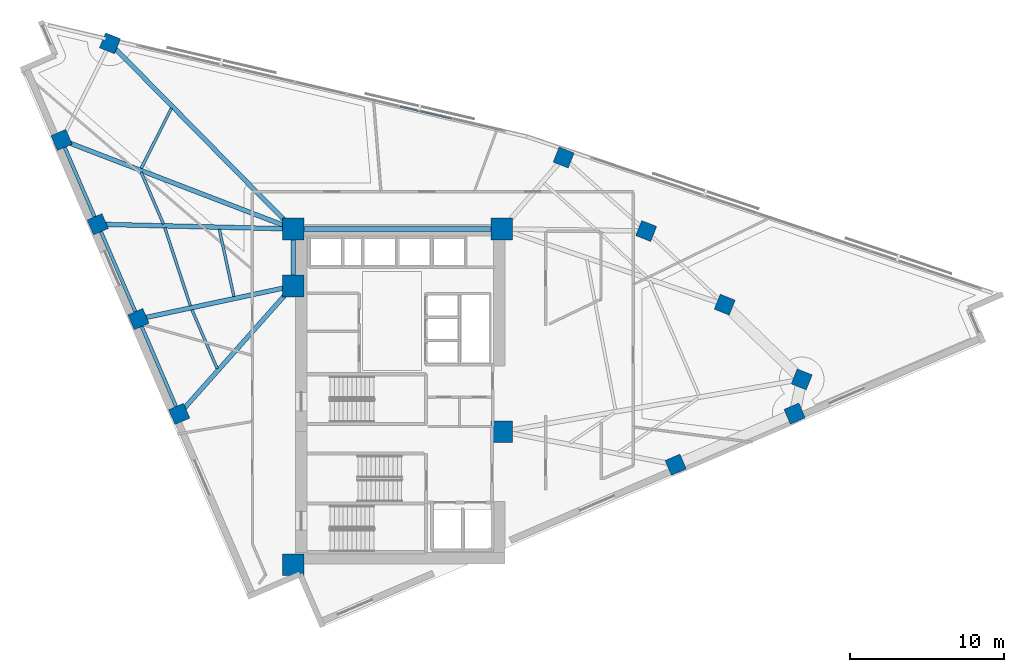
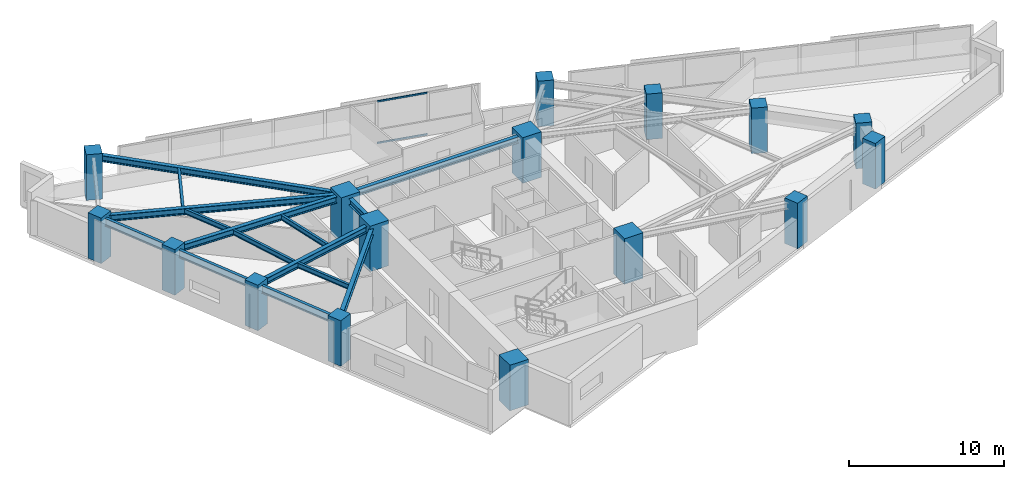
# One storey, part 1 of 14: 16 columns, 15 beams, 2 members, 1 element without a shape of its own.
"""IFC4 building model written with IfcOpenShell, lengths in metres."""

import ifcopenshell
import ifcopenshell.guid

model = None  # the IFC model being written
_history = None  # IfcOwnerHistory: only IFC2X3 demands one
_inside = {}  # id of a spatial element -> (the spatial element, [elements in it])
_under = {}  # id of a project, library or spatial element -> (it, [spatial elements below it])
_declared = {}  # id of a project -> (the project, [libraries it declares])
_typed = {}  # id of a type object -> (the type object, [elements of that type])
_made_of = {}  # id of a material, layer set ... -> (it, [elements and type objects made of it])


def new_model(schema):
    """Start an empty IFC model of exactly this schema.

    Asked for "IFC4X3", IfcOpenShell would pick the latest addendum, in which some entities
    have other attributes; the version numbers below select the first issue.
    IFC2X3 requires an IfcOwnerHistory on every rooted entity: one is made here for all.
    """
    global model, _history
    if schema == "IFC4X3":
        model = ifcopenshell.file(schema_version=(4, 3, 0, 0))
    else:
        model = ifcopenshell.file(schema=schema)
    _inside.clear()
    _under.clear()
    _declared.clear()
    _typed.clear()
    _made_of.clear()
    _history = None
    if model.schema == "IFC2X3":
        org = make("IfcOrganization", Name="unknown")
        user = make(
            "IfcPersonAndOrganization",
            ThePerson=make("IfcPerson", FamilyName="unknown"),
            TheOrganization=org,
        )
        app = make(
            "IfcApplication",
            ApplicationDeveloper=org,
            Version="unknown",
            ApplicationFullName="unknown",
            ApplicationIdentifier="unknown",
        )
        _history = make(
            "IfcOwnerHistory",
            OwningUser=user,
            OwningApplication=app,
            ChangeAction="ADDED",
            CreationDate=0,
        )
    return model


def make(cls, **values):
    """One entity of the class cls with the attributes given. An attribute that is None is left unset."""
    return model.create_entity(
        cls, **{name: value for name, value in values.items() if value is not None}
    )


def rooted(cls, **values):
    """An entity with a GlobalId (a new one), such as an element, a storey or a relation."""
    return make(cls, GlobalId=ifcopenshell.guid.new(), OwnerHistory=_history, **values)


def si_unit(unit_type, name, prefix=None):
    """IfcSIUnit, for example si_unit("LENGTHUNIT", "METRE", prefix="MILLI")."""
    return make("IfcSIUnit", UnitType=unit_type, Prefix=prefix, Name=name)


def assignment(units):
    """IfcUnitAssignment: the units of a project."""
    return None if units is None else make("IfcUnitAssignment", Units=units)


def point(xyz):
    """IfcCartesianPoint."""
    return None if xyz is None else make("IfcCartesianPoint", Coordinates=xyz)


def direction(xyz):
    """IfcDirection."""
    return None if xyz is None else make("IfcDirection", DirectionRatios=xyz)


def frame(location, z_axis=None, x_axis=None):
    """IfcAxis2Placement3D, a coordinate frame: its origin and axes. An axis left out is left unset."""
    return make(
        "IfcAxis2Placement3D",
        Location=point(location),
        Axis=direction(z_axis),
        RefDirection=direction(x_axis),
    )


def frame_2d(location, x_axis=None):
    """IfcAxis2Placement2D, a coordinate frame in the plane: its origin and x axis."""
    return make(
        "IfcAxis2Placement2D", Location=point(location), RefDirection=direction(x_axis)
    )


def origin():
    """The frame at (0, 0, 0) with its axes left unset."""
    return frame((0.0, 0.0, 0.0))


def origin_2d():
    """The frame at (0, 0) in the plane with its x axis left unset."""
    return frame_2d((0.0, 0.0))


def place(relative_to, where):
    """IfcLocalPlacement: puts the frame where relative to a parent placement (None: the world)."""
    return make(
        "IfcLocalPlacement", PlacementRelTo=relative_to, RelativePlacement=where
    )


def context(
    kind, dimensions, precision=None, world=None, true_north=None, identifier=None
):
    """IfcGeometricRepresentationContext, for example the 3D "Model" context."""
    return make(
        "IfcGeometricRepresentationContext",
        ContextIdentifier=identifier,
        ContextType=kind,
        CoordinateSpaceDimension=dimensions,
        Precision=precision,
        WorldCoordinateSystem=world,
        TrueNorth=true_north,
    )


def subcontext(parent, identifier, kind, view, scale=None):
    """IfcGeometricRepresentationSubContext, for example "Body" below "Model"."""
    return make(
        "IfcGeometricRepresentationSubContext",
        ContextIdentifier=identifier,
        ContextType=kind,
        ParentContext=parent,
        TargetScale=scale,
        TargetView=view,
    )


def project(units=None, contexts=None):
    """IfcProject with its units and contexts."""
    return rooted(
        "IfcProject",
        Name="project",
        RepresentationContexts=contexts,
        UnitsInContext=assignment(units),
    )


def spatial(cls, under=None, at=None, **own):
    """A site, building, storey or space (cls), placed at a placement, below another one or the project."""
    s = rooted(cls, ObjectPlacement=at, **own)
    if under is not None:
        _under.setdefault(under.id(), (under, []))[1].append(s)
    return s


def profile(cls, at=None, kind="AREA", **sizes):
    """A parametric profile (cls). Its sizes go by their IFC names, for example OverallWidth=200.0."""
    return make(cls, ProfileType=kind, Position=at, **sizes)


def rectangle(**sizes):
    """IfcRectangleProfileDef."""
    return profile("IfcRectangleProfileDef", **sizes)


def hollow_rectangle(**sizes):
    """IfcRectangleHollowProfileDef."""
    return profile("IfcRectangleHollowProfileDef", **sizes)


def i_section(**sizes):
    """IfcIShapeProfileDef."""
    return profile("IfcIShapeProfileDef", **sizes)


def extrude(swept, where, along, depth):
    """IfcExtrudedAreaSolid: the profile swept, set in the frame where, extruded along a direction by depth."""
    return make(
        "IfcExtrudedAreaSolid",
        SweptArea=swept,
        Position=where,
        ExtrudedDirection=direction(along),
        Depth=depth,
    )


def shape(context_of_items, identifier, shape_type, items):
    """IfcShapeRepresentation: the items that make up one representation, for example the "Body"."""
    return make(
        "IfcShapeRepresentation",
        ContextOfItems=context_of_items,
        RepresentationIdentifier=identifier,
        RepresentationType=shape_type,
        Items=items,
    )


def material(Name=None, Category=None):
    """IfcMaterial."""
    return make("IfcMaterial", Name=Name, Category=Category)


def material_profile(
    of_material, cross_section, Name=None, Category=None, Priority=None
):
    """IfcMaterialProfile: a cross section and its material."""
    return make(
        "IfcMaterialProfile",
        Name=Name,
        Material=of_material,
        Profile=cross_section,
        Priority=Priority,
        Category=Category,
    )


def profile_set(profiles, Name=None, composite=None):
    """IfcMaterialProfileSet."""
    return make(
        "IfcMaterialProfileSet",
        Name=Name,
        MaterialProfiles=profiles,
        CompositeProfile=composite,
    )


def made_of(thing, what):
    """Note that an element or type object is made of a material, layer set ...; save() writes the relation."""
    if what is not None:
        _made_of.setdefault(what.id(), (what, []))[1].append(thing)
    return thing


def type_object(cls, material=None, **own):
    """A type object (cls), such as IfcWallType, which elements share."""
    return made_of(rooted(cls, **own), material)


def element(
    cls,
    number,
    at=None,
    inside=None,
    cuts=None,
    type_object=None,
    material=None,
    context=None,
    identifier="Body",
    shape_type=None,
    held_by="IfcProductDefinitionShape",
    body=None,
    shapes=None,
    **own,
):
    """One element of the class cls, such as IfcWall. Its Tag is "e" and its number.

    at: its placement. inside: the storey or other place that contains it. cuts: it is an
    opening in that element (IfcRelVoidsElement). A single representation is given by context,
    identifier, shape_type and body (its items); several are given by shapes. held_by: the class
    of the entity that holds the representations. save() writes the other relations.
    """
    e = rooted(cls, Tag="e%d" % number, ObjectPlacement=at, **own)
    if body is not None:
        shapes = [shape(context, identifier, shape_type, body)]
    if shapes is not None:
        e.Representation = make(held_by, Representations=shapes)
    if inside is not None:
        _inside.setdefault(inside.id(), (inside, []))[1].append(e)
    if cuts is not None:
        rooted(
            "IfcRelVoidsElement", RelatingBuildingElement=cuts, RelatedOpeningElement=e
        )
    if type_object is not None:
        _typed.setdefault(type_object.id(), (type_object, []))[1].append(e)
    return made_of(e, material)


def aggregate(whole, parts):
    """IfcRelAggregates: a whole, such as a stair, and the parts it consists of."""
    return rooted("IfcRelAggregates", RelatingObject=whole, RelatedObjects=parts)


def save(model, path):
    """Write the relations noted so far, then the file.

    IfcRelAggregates (storeys below a building ...), IfcRelContainedInSpatialStructure (elements
    in a storey), IfcRelDefinesByType, IfcRelAssociatesMaterial and IfcRelDeclares: one each for
    every whole, place, type object, material and project.
    """
    for whole, parts in _under.values():
        aggregate(whole, parts)
    for where, things in _inside.values():
        rooted(
            "IfcRelContainedInSpatialStructure",
            RelatedElements=things,
            RelatingStructure=where,
        )
    for kind, things in _typed.values():
        rooted("IfcRelDefinesByType", RelatedObjects=things, RelatingType=kind)
    for what, things in _made_of.values():
        rooted("IfcRelAssociatesMaterial", RelatedObjects=things, RelatingMaterial=what)
    for by, libraries in _declared.values():
        rooted("IfcRelDeclares", RelatingContext=by, RelatedDefinitions=libraries)
    model.write(path)


model = new_model("IFC4")

# Units and contexts
model_context = context("Model", 3, precision=1e-05, world=origin(), true_north=direction((0.0, 1.0)))
body_context = subcontext(model_context, "Body", "Model", "MODEL_VIEW")
ifc_project = project(units=[si_unit("LENGTHUNIT", "METRE"), si_unit("AREAUNIT", "SQUARE_METRE"), si_unit("VOLUMEUNIT", "CUBIC_METRE"), si_unit("PLANEANGLEUNIT", "RADIAN"), si_unit("MASSUNIT", "GRAM", prefix="KILO")], contexts=[model_context])

# Site, building, storey
site_placement = place(None, origin())
site = spatial("IfcSite", under=ifc_project, at=site_placement, CompositionType="ELEMENT")
building_placement = place(site_placement, origin())
building = spatial("IfcBuilding", under=site, at=building_placement, Name="Narakoshi Arena Tower", CompositionType="ELEMENT")
storey_placement = place(building_placement, frame((0.0, 0.0, 175.5)))
storey = spatial("IfcBuildingStorey", under=building, at=storey_placement, Name="L47", CompositionType="ELEMENT", Elevation=175.5)

# Columns
ifc_material_1 = material(Name="Concrete C50/60", Category="concrete")
ifc_material_profile_1 = material_profile(ifc_material_1, rectangle(XDim=1.050048828125, YDim=1.050048828125, at=origin_2d()), Name="RC1050x1050")
ifc_profile_set_1 = profile_set([ifc_material_profile_1], Name="Concrete C50/60")
column_type_1 = type_object("IfcColumnType", Name="COL-RC1050", PredefinedType="COLUMN", material=ifc_profile_set_1)
for number, where, z_axis, x_axis, name in (
    (1, (96.830078125, 41.2001953125, 0.0), (0.0, 0.0, 1.0), (0.918791210149, 0.394743856384, 0.0), "L47 Tower Perimeter Column TC02"),
    (2, (104.54931640625, 44.5166015625, 0.0), (0.0, 0.0, 1.0), (0.918791210149, 0.394743856384, 0.0), "L47 Tower Perimeter Column TC03"),
    (3, (105.010009765625, 46.73876953125, 0.0), (0.0, 0.0, 1.0), (0.37055743751, 0.928809552872, 0.0), "L47 Tower Perimeter Column TC05"),
    (4, (100.012939453125, 51.58544921875, 0.0), (0.0, 0.0, 1.0), (0.37055743751, 0.928809552872, 0.0), "L47 Tower Perimeter Column TC06"),
    (5, (94.914794921875, 56.36669921875, 0.0), (0.0, 0.0, 1.0), (0.37055743751, 0.928809552872, 0.0), "L47 Tower Perimeter Column TC07"),
    (6, (89.5615234375, 61.134765625, 0.0), (0.0, 0.0, 1.0), (0.37055743751, 0.928809552872, 0.0), "L47 Tower Perimeter Column TC08"),
    (7, (60.12158203125, 68.55126953125, 0.0), (0.0, 0.0, 1.0), (0.37055743751, 0.928809552872, 0.0), "L47 Tower Perimeter Column TC10"),
    (8, (56.9755859375, 62.278564453125, 0.0), (0.0, 0.0, 1.0), (-0.394743856384, 0.918791210149, 0.0), "L47 Tower Perimeter Column TC13"),
    (9, (59.326171875, 56.807373046875, 0.0), (0.0, 0.0, 1.0), (-0.394743856384, 0.918791210149, 0.0), "L47 Tower Perimeter Column TC14"),
    (10, (61.970458984375, 50.652587890625, 0.0), (0.0, 0.0, 1.0), (-0.394743856384, 0.918791210149, 0.0), "L47 Tower Perimeter Column TC15"),
    (11, (64.61474609375, 44.49755859375, 0.0), (0.0, 0.0, 1.0), (-0.394743856384, 0.918791210149, 0.0), "L47 Tower Perimeter Column TC16"),
):
    element("IfcColumn", number, at=place(storey_placement, frame(where, z_axis=z_axis, x_axis=x_axis)), inside=storey, type_object=column_type_1, Name=name, PredefinedType="COLUMN", context=body_context, shape_type="SweptSolid", body=[
        extrude(rectangle(XDim=1.050048828125, YDim=1.050048828125, at=origin_2d()), origin(), (0.0, 0.0, 1.0), 3.60009765625),
    ])
ifc_material_2 = material(Name="Concrete C60/75", Category="concrete")
ifc_material_profile_2 = material_profile(ifc_material_2, rectangle(XDim=1.39990234375, YDim=1.39990234375, at=origin_2d()), Name="RC1400x1400")
ifc_profile_set_2 = profile_set([ifc_material_profile_2], Name="Concrete C60/75")
column_type_2 = type_object("IfcColumnType", Name="COL-RC1400", PredefinedType="COLUMN", material=ifc_profile_set_2)
for number, where, z_axis, x_axis, name in (
    (12, (72.0, 34.699951171875, 0.0), (0.0, 0.0, 1.0), (1.0, 0.0, 0.0), "L47 Core Structural Column CC1"),
    (13, (85.550048828125, 43.35009765625, 0.0), (0.0, 0.0, 1.0), (1.0, 0.0, 0.0), "L47 Core Structural Column CC3"),
    (14, (72.0, 52.800048828125, 0.0), (0.0, 0.0, 1.0), (1.0, 0.0, 0.0), "L47 Core Structural Column CC4"),
    (15, (72.0, 56.5, 0.0), (0.0, 0.0, 1.0), (1.0, 0.0, 0.0), "L47 Core Structural Column CC5"),
    (16, (85.550048828125, 56.5, 0.0), (0.0, 0.0, 1.0), (1.0, 0.0, 0.0), "L47 Core Structural Column CC6"),
):
    element("IfcColumn", number, at=place(storey_placement, frame(where, z_axis=z_axis, x_axis=x_axis)), inside=storey, type_object=column_type_2, Name=name, PredefinedType="COLUMN", context=body_context, shape_type="SweptSolid", body=[
        extrude(rectangle(XDim=1.39990234375, YDim=1.39990234375, at=origin_2d()), origin(), (0.0, 0.0, 1.0), 3.60009765625),
    ])

# Beams
ifc_material_3 = material(Name="Structural steel S355J2", Category="steel")
ifc_material_profile_3 = material_profile(ifc_material_3, i_section(OverallWidth=0.219970703125, OverallDepth=0.60009765625, WebThickness=0.011962890625, FlangeThickness=0.01904296875, FilletRadius=0.02392578125, at=origin_2d()), Name="IPE600")
ifc_profile_set_3 = profile_set([ifc_material_profile_3], Name="Structural steel S355J2")
beam_type_1 = type_object("IfcBeamType", Name="BM-EDGE-600", PredefinedType="BEAM", material=ifc_profile_set_3)
beam_1_placement = place(storey_placement, frame((56.9755859375, 62.278564453125, 3.0400390625), z_axis=(0.394740539552, -0.918792635165, 0.0), x_axis=(0.918792635165, 0.394740539552, 0.0)))
element("IfcBeam", 17, at=beam_1_placement, inside=storey, type_object=beam_type_1, Name="L47 Perimeter Edge Girder 08", PredefinedType="BEAM", context=body_context, shape_type="SweptSolid", body=[
    extrude(i_section(OverallWidth=0.219970703125, OverallDepth=0.60009765625, WebThickness=0.011962890625, FlangeThickness=0.01904296875, FilletRadius=0.02392578125, at=origin_2d()), origin(), (0.0, 0.0, 1.0), 5.954833984375),
])
beam_2_placement = place(storey_placement, frame((59.326171875, 56.807373046875, 3.0400390625), z_axis=(0.394741679056, -0.9187921456, 0.0), x_axis=(0.9187921456, 0.394741679056, 0.0)))
element("IfcBeam", 18, at=beam_2_placement, inside=storey, type_object=beam_type_1, Name="L47 Perimeter Edge Girder 09", PredefinedType="BEAM", context=body_context, shape_type="SweptSolid", body=[
    extrude(i_section(OverallWidth=0.219970703125, OverallDepth=0.60009765625, WebThickness=0.011962890625, FlangeThickness=0.01904296875, FilletRadius=0.02392578125, at=origin_2d()), origin(), (0.0, 0.0, 1.0), 6.69873046875),
])
beam_3_placement = place(storey_placement, frame((61.970458984375, 50.652587890625, 3.0400390625), z_axis=(0.394728461185, -0.918797824296, 0.0), x_axis=(0.918797824296, 0.394728461185, 0.0)))
element("IfcBeam", 19, at=beam_3_placement, inside=storey, type_object=beam_type_1, Name="L47 Perimeter Edge Girder 10", PredefinedType="BEAM", context=body_context, shape_type="SweptSolid", body=[
    extrude(i_section(OverallWidth=0.219970703125, OverallDepth=0.60009765625, WebThickness=0.011962890625, FlangeThickness=0.01904296875, FilletRadius=0.02392578125, at=origin_2d()), origin(), (0.0, 0.0, 1.0), 6.698974609375),
])
ifc_material_profile_4 = material_profile(ifc_material_3, i_section(OverallWidth=0.300048828125, OverallDepth=0.5, WebThickness=0.014404296875, FlangeThickness=0.028076171875, FilletRadius=0.027099609375, at=origin_2d()), Name="HE500B")
ifc_profile_set_4 = profile_set([ifc_material_profile_4], Name="Structural steel S355J2")
beam_type_2 = type_object("IfcBeamType", Name="BM-PRI-500", PredefinedType="BEAM", material=ifc_profile_set_4)
beam_4_placement = place(storey_placement, frame((72.0, 56.5, 3.090087890625), z_axis=(-0.701980816252, 0.71219585341, 0.0), x_axis=(-0.71219585341, -0.701980816252, 0.0)))
element("IfcBeam", 20, at=beam_4_placement, inside=storey, type_object=beam_type_2, Name="L47 Radial Primary Floor Girder 07", PredefinedType="BEAM", context=body_context, shape_type="SweptSolid", body=[
    extrude(i_section(OverallWidth=0.300048828125, OverallDepth=0.5, WebThickness=0.014404296875, FlangeThickness=0.028076171875, FilletRadius=0.027099609375, at=origin_2d()), origin(), (0.0, 0.0, 1.0), 16.92138671875),
])
beam_5_placement = place(storey_placement, frame((72.0, 56.5, 3.090087890625), z_axis=(-0.933346778866, 0.35897603037, 0.0), x_axis=(-0.35897603037, -0.933346778866, 0.0)))
element("IfcBeam", 21, at=beam_5_placement, inside=storey, type_object=beam_type_2, Name="L47 Radial Primary Floor Girder 08", PredefinedType="BEAM", context=body_context, shape_type="SweptSolid", body=[
    extrude(i_section(OverallWidth=0.300048828125, OverallDepth=0.5, WebThickness=0.014404296875, FlangeThickness=0.028076171875, FilletRadius=0.027099609375, at=origin_2d()), origin(), (0.0, 0.0, 1.0), 16.097412109375),
])
beam_6_placement = place(storey_placement, frame((72.0, 56.5, 3.090087890625), z_axis=(-0.999706035824, 0.024245451901, 0.0), x_axis=(-0.024245451901, -0.999706035824, 0.0)))
element("IfcBeam", 22, at=beam_6_placement, inside=storey, type_object=beam_type_2, Name="L47 Radial Primary Floor Girder 09", PredefinedType="BEAM", context=body_context, shape_type="SweptSolid", body=[
    extrude(i_section(OverallWidth=0.300048828125, OverallDepth=0.5, WebThickness=0.014404296875, FlangeThickness=0.028076171875, FilletRadius=0.027099609375, at=origin_2d()), origin(), (0.0, 0.0, 1.0), 12.677490234375),
])
beam_7_placement = place(storey_placement, frame((72.0, 52.800048828125, 3.090087890625), z_axis=(-0.977836885657, -0.209368156721, 0.0), x_axis=(0.209368156721, -0.977836885657, 0.0)))
element("IfcBeam", 23, at=beam_7_placement, inside=storey, type_object=beam_type_2, Name="L47 Radial Primary Floor Girder 10", PredefinedType="BEAM", context=body_context, shape_type="SweptSolid", body=[
    extrude(i_section(OverallWidth=0.300048828125, OverallDepth=0.5, WebThickness=0.014404296875, FlangeThickness=0.028076171875, FilletRadius=0.027099609375, at=origin_2d()), origin(), (0.0, 0.0, 1.0), 10.2568359375),
])
beam_8_placement = place(storey_placement, frame((72.0, 52.800048828125, 3.090087890625), z_axis=(-0.664628360587, -0.747174104412, 0.0), x_axis=(0.747174104412, -0.664628360587, 0.0)))
element("IfcBeam", 24, at=beam_8_placement, inside=storey, type_object=beam_type_2, Name="L47 Radial Primary Floor Girder 11", PredefinedType="BEAM", context=body_context, shape_type="SweptSolid", body=[
    extrude(i_section(OverallWidth=0.300048828125, OverallDepth=0.5, WebThickness=0.014404296875, FlangeThickness=0.028076171875, FilletRadius=0.027099609375, at=origin_2d()), origin(), (0.0, 0.0, 1.0), 11.11181640625),
])
beam_9_placement = place(storey_placement, frame((72.0, 52.800048828125, 3.090087890625), z_axis=(0.0, 1.0, 0.0), x_axis=(-1.0, 0.0, 0.0)))
element("IfcBeam", 25, at=beam_9_placement, inside=storey, type_object=beam_type_2, Name="L47 Core Perimeter Frame Beam CC4-CC5", PredefinedType="BEAM", context=body_context, shape_type="SweptSolid", body=[
    extrude(i_section(OverallWidth=0.300048828125, OverallDepth=0.5, WebThickness=0.014404296875, FlangeThickness=0.028076171875, FilletRadius=0.027099609375, at=origin_2d()), origin(), (0.0, 0.0, 1.0), 3.699951171875),
])
beam_10_placement = place(storey_placement, frame((72.0, 56.5, 3.090087890625), z_axis=(1.0, 0.0, 0.0), x_axis=(0.0, 1.0, 0.0)))
element("IfcBeam", 26, at=beam_10_placement, inside=storey, type_object=beam_type_2, Name="L47 Core Perimeter Frame Beam CC5-CC6", PredefinedType="BEAM", context=body_context, shape_type="SweptSolid", body=[
    extrude(i_section(OverallWidth=0.300048828125, OverallDepth=0.5, WebThickness=0.014404296875, FlangeThickness=0.028076171875, FilletRadius=0.027099609375, at=origin_2d()), origin(), (0.0, 0.0, 1.0), 13.550048828125),
])
ifc_material_profile_5 = material_profile(ifc_material_3, i_section(OverallWidth=0.179931640625, OverallDepth=0.39990234375, WebThickness=0.008544921875, FlangeThickness=0.013427734375, FilletRadius=0.02099609375, at=origin_2d()), Name="IPE400")
ifc_profile_set_5 = profile_set([ifc_material_profile_5], Name="Structural steel S355J2")
beam_type_3 = type_object("IfcBeamType", Name="BM-SEC-400", PredefinedType="JOIST", material=ifc_profile_set_5)
beam_11_placement = place(storey_placement, frame((64.099853515625, 64.333251953125, 3.139892578125), z_axis=(-0.448355109233, -0.893855523015, 0.0), x_axis=(0.893855523015, -0.448355109233, 0.0)))
element("IfcBeam", 27, at=beam_11_placement, inside=storey, type_object=beam_type_3, Name="L47 Composite Secondary Floor Joist 07", PredefinedType="JOIST", context=body_context, shape_type="SweptSolid", body=[
    extrude(i_section(OverallWidth=0.179931640625, OverallDepth=0.39990234375, WebThickness=0.008544921875, FlangeThickness=0.013427734375, FilletRadius=0.02099609375, at=origin_2d()), origin(), (0.0, 0.0, 1.0), 4.361572265625),
])
beam_12_placement = place(storey_placement, frame((62.13720703125, 60.189697265625, 3.139892578125), z_axis=(0.394700077983, -0.918810017599, 0.0), x_axis=(0.918810017599, 0.394700077983, 0.0)))
element("IfcBeam", 28, at=beam_12_placement, inside=storey, type_object=beam_type_3, Name="L47 Composite Secondary Floor Joist 08", PredefinedType="JOIST", context=body_context, shape_type="SweptSolid", body=[
    extrude(i_section(OverallWidth=0.179931640625, OverallDepth=0.39990234375, WebThickness=0.008544921875, FlangeThickness=0.013427734375, FilletRadius=0.02099609375, at=origin_2d()), origin(), (0.0, 0.0, 1.0), 3.659912109375),
])
beam_13_placement = place(storey_placement, frame((67.21240234375, 56.48486328125, 3.139892578125), z_axis=(0.212001112403, -0.977269424642, 0.0), x_axis=(0.977269424642, 0.212001112403, 0.0)))
element("IfcBeam", 29, at=beam_13_placement, inside=storey, type_object=beam_type_3, Name="L47 Composite Secondary Floor Joist 09", PredefinedType="JOIST", context=body_context, shape_type="SweptSolid", body=[
    extrude(i_section(OverallWidth=0.179931640625, OverallDepth=0.39990234375, WebThickness=0.008544921875, FlangeThickness=0.013427734375, FilletRadius=0.02099609375, at=origin_2d()), origin(), (0.0, 0.0, 1.0), 4.470458984375),
])
beam_14_placement = place(storey_placement, frame((63.67724609375, 56.57470703125, 3.139892578125), z_axis=(0.311702562929, -0.950179726296, 0.0), x_axis=(0.950179726296, 0.311702562929, 0.0)))
element("IfcBeam", 30, at=beam_14_placement, inside=storey, type_object=beam_type_3, Name="L47 Composite Secondary Floor Joist 10", PredefinedType="JOIST", context=body_context, shape_type="SweptSolid", body=[
    extrude(i_section(OverallWidth=0.179931640625, OverallDepth=0.39990234375, WebThickness=0.008544921875, FlangeThickness=0.013427734375, FilletRadius=0.02099609375, at=origin_2d()), origin(), (0.0, 0.0, 1.0), 5.329345703125),
])
beam_15_placement = place(storey_placement, frame((65.433837890625, 51.258544921875, 3.139892578125), z_axis=(0.394735391015, -0.918794847113, 0.0), x_axis=(0.918794847113, 0.394735391015, 0.0)))
element("IfcBeam", 31, at=beam_15_placement, inside=storey, type_object=beam_type_3, Name="L47 Composite Secondary Floor Joist 11", PredefinedType="JOIST", context=body_context, shape_type="SweptSolid", body=[
    extrude(i_section(OverallWidth=0.179931640625, OverallDepth=0.39990234375, WebThickness=0.008544921875, FlangeThickness=0.013427734375, FilletRadius=0.02099609375, at=origin_2d()), origin(), (0.0, 0.0, 1.0), 4.1513671875),
])

# Curtain wall, members
ifc_material_4 = material(Name="Anodised bronze aluminium 6063-T6", Category="aluminium")
curtain_wall_type = type_object("IfcCurtainWallType", Name="CW-HYP-MID", PredefinedType="NOTDEFINED", material=ifc_material_4)
curtain_wall_placement = place(storey_placement, origin())
curtain_wall = element("IfcCurtainWall", 32, at=curtain_wall_placement, inside=storey, type_object=curtain_wall_type, Name="L47 Folded Hypotenuse Curtain Wall 2-1", PredefinedType="NOTDEFINED")
ifc_material_profile_6 = material_profile(ifc_material_4, hollow_rectangle(XDim=0.06494140625, YDim=0.1298828125, WallThickness=0.00390625, OuterFilletRadius=0.0048828125, at=origin_2d()), Name="TRN130x65x4")
ifc_profile_set_6 = profile_set([ifc_material_profile_6], Name="Anodised bronze aluminium 6063-T6")
member_type = type_object("IfcMemberType", Name="MEM-TRN-130", PredefinedType="USERDEFINED", material=ifc_profile_set_6)
member_1_placement = place(storey_placement, frame((82.27587890625, 63.6611328125, 0.032470703125), z_axis=(-0.973960713384, 0.226716847155, 0.0), x_axis=(-0.226716847155, -0.973960713384, 0.0)))
member_1 = element("IfcMember", 33, at=member_1_placement, type_object=member_type, Name="CW-02 transom 2.1", ObjectType="TRANSOM", PredefinedType="USERDEFINED", context=body_context, shape_type="SweptSolid", body=[
    extrude(hollow_rectangle(XDim=0.06494140625, YDim=0.1298828125, WallThickness=0.00390625, OuterFilletRadius=0.0048828125, at=origin_2d()), origin(), (0.0, 0.0, 1.0), 3.416748046875),
])
member_2_placement = place(storey_placement, frame((82.27587890625, 63.6611328125, 3.3076171875), z_axis=(-0.973960713384, 0.226716847155, 0.0), x_axis=(-0.226716847155, -0.973960713384, 0.0)))
member_2 = element("IfcMember", 34, at=member_2_placement, type_object=member_type, Name="CW-02 transom 2.2", ObjectType="TRANSOM", PredefinedType="USERDEFINED", context=body_context, shape_type="SweptSolid", body=[
    extrude(hollow_rectangle(XDim=0.06494140625, YDim=0.1298828125, WallThickness=0.00390625, OuterFilletRadius=0.0048828125, at=origin_2d()), origin(), (0.0, 0.0, 1.0), 3.416748046875),
])
aggregate(curtain_wall, [member_1, member_2])

save(model, "model.ifc")
